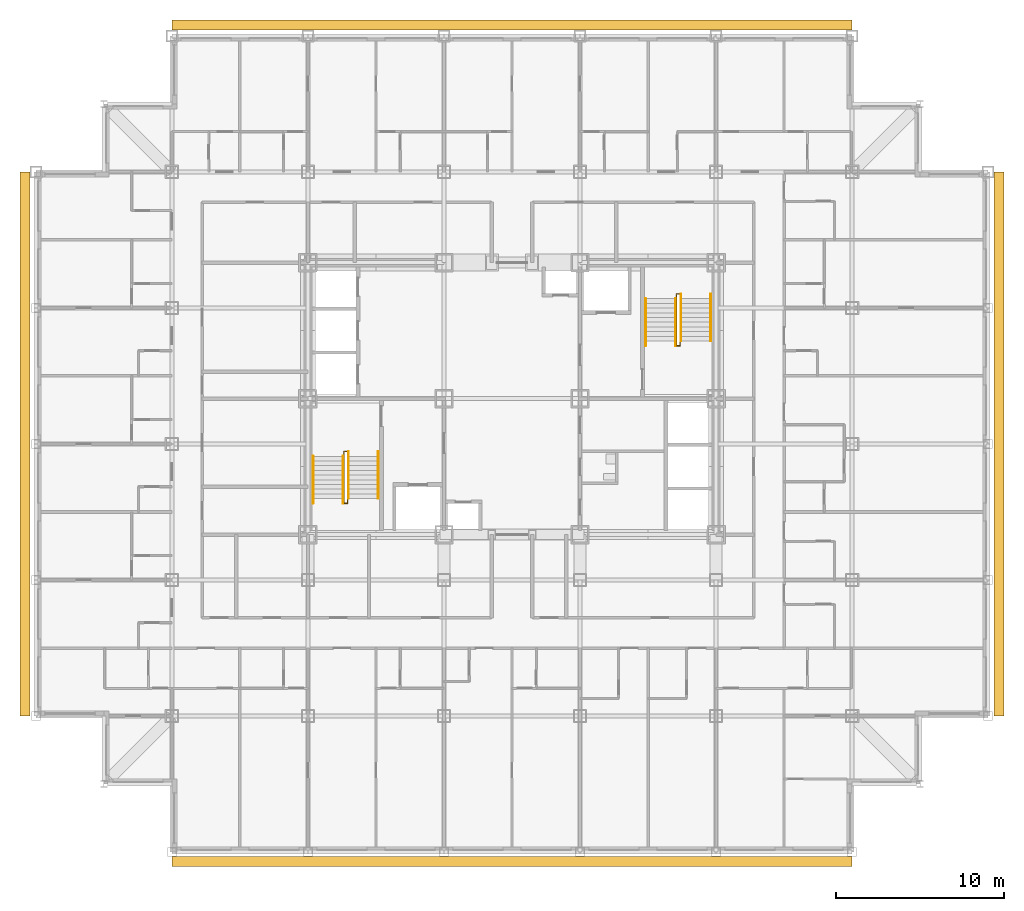
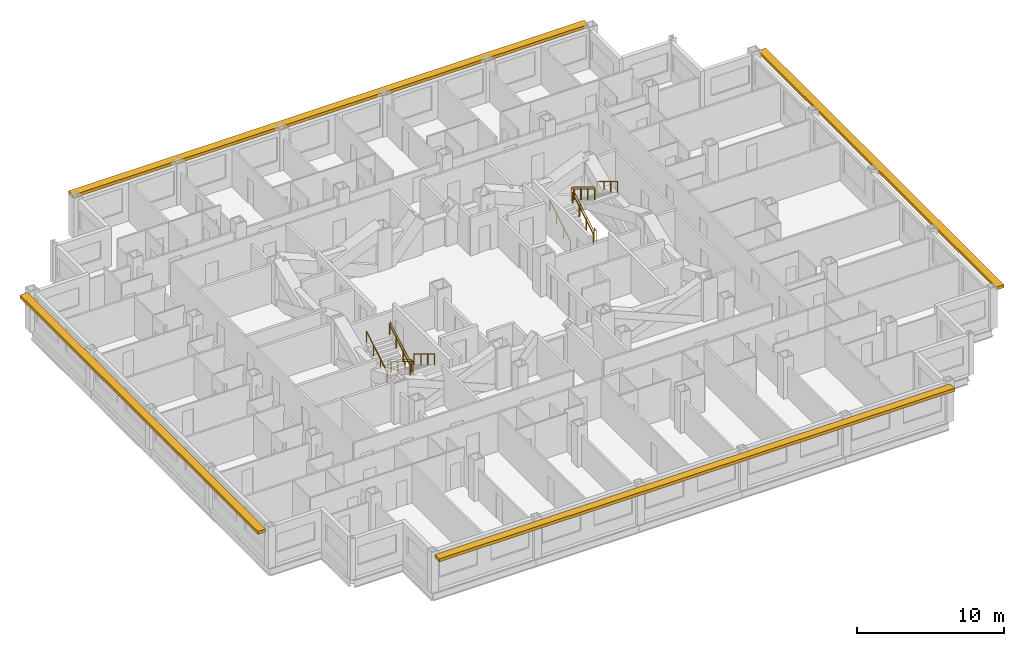
# One storey, part 13 of 14: 10 railings, 4 shading devices.
"""IFC4 building model written with IfcOpenShell, lengths in metres."""

import ifcopenshell
import ifcopenshell.guid

model = None  # the IFC model being written
_history = None  # IfcOwnerHistory: only IFC2X3 demands one
_inside = {}  # id of a spatial element -> (the spatial element, [elements in it])
_under = {}  # id of a project, library or spatial element -> (it, [spatial elements below it])
_declared = {}  # id of a project -> (the project, [libraries it declares])
_typed = {}  # id of a type object -> (the type object, [elements of that type])
_made_of = {}  # id of a material, layer set ... -> (it, [elements and type objects made of it])


def new_model(schema):
    """Start an empty IFC model of exactly this schema.

    Asked for "IFC4X3", IfcOpenShell would pick the latest addendum, in which some entities
    have other attributes; the version numbers below select the first issue.
    IFC2X3 requires an IfcOwnerHistory on every rooted entity: one is made here for all.
    """
    global model, _history
    if schema == "IFC4X3":
        model = ifcopenshell.file(schema_version=(4, 3, 0, 0))
    else:
        model = ifcopenshell.file(schema=schema)
    _inside.clear()
    _under.clear()
    _declared.clear()
    _typed.clear()
    _made_of.clear()
    _history = None
    if model.schema == "IFC2X3":
        org = make("IfcOrganization", Name="unknown")
        user = make(
            "IfcPersonAndOrganization",
            ThePerson=make("IfcPerson", FamilyName="unknown"),
            TheOrganization=org,
        )
        app = make(
            "IfcApplication",
            ApplicationDeveloper=org,
            Version="unknown",
            ApplicationFullName="unknown",
            ApplicationIdentifier="unknown",
        )
        _history = make(
            "IfcOwnerHistory",
            OwningUser=user,
            OwningApplication=app,
            ChangeAction="ADDED",
            CreationDate=0,
        )
    return model


def make(cls, **values):
    """One entity of the class cls with the attributes given. An attribute that is None is left unset."""
    return model.create_entity(
        cls, **{name: value for name, value in values.items() if value is not None}
    )


def rooted(cls, **values):
    """An entity with a GlobalId (a new one), such as an element, a storey or a relation."""
    return make(cls, GlobalId=ifcopenshell.guid.new(), OwnerHistory=_history, **values)


def si_unit(unit_type, name, prefix=None):
    """IfcSIUnit, for example si_unit("LENGTHUNIT", "METRE", prefix="MILLI")."""
    return make("IfcSIUnit", UnitType=unit_type, Prefix=prefix, Name=name)


def assignment(units):
    """IfcUnitAssignment: the units of a project."""
    return None if units is None else make("IfcUnitAssignment", Units=units)


def point(xyz):
    """IfcCartesianPoint."""
    return None if xyz is None else make("IfcCartesianPoint", Coordinates=xyz)


def direction(xyz):
    """IfcDirection."""
    return None if xyz is None else make("IfcDirection", DirectionRatios=xyz)


def frame(location, z_axis=None, x_axis=None):
    """IfcAxis2Placement3D, a coordinate frame: its origin and axes. An axis left out is left unset."""
    return make(
        "IfcAxis2Placement3D",
        Location=point(location),
        Axis=direction(z_axis),
        RefDirection=direction(x_axis),
    )


def frame_2d(location, x_axis=None):
    """IfcAxis2Placement2D, a coordinate frame in the plane: its origin and x axis."""
    return make(
        "IfcAxis2Placement2D", Location=point(location), RefDirection=direction(x_axis)
    )


def origin():
    """The frame at (0, 0, 0) with its axes left unset."""
    return frame((0.0, 0.0, 0.0))


def origin_2d():
    """The frame at (0, 0) in the plane with its x axis left unset."""
    return frame_2d((0.0, 0.0))


def place(relative_to, where):
    """IfcLocalPlacement: puts the frame where relative to a parent placement (None: the world)."""
    return make(
        "IfcLocalPlacement", PlacementRelTo=relative_to, RelativePlacement=where
    )


def context(
    kind, dimensions, precision=None, world=None, true_north=None, identifier=None
):
    """IfcGeometricRepresentationContext, for example the 3D "Model" context."""
    return make(
        "IfcGeometricRepresentationContext",
        ContextIdentifier=identifier,
        ContextType=kind,
        CoordinateSpaceDimension=dimensions,
        Precision=precision,
        WorldCoordinateSystem=world,
        TrueNorth=true_north,
    )


def subcontext(parent, identifier, kind, view, scale=None):
    """IfcGeometricRepresentationSubContext, for example "Body" below "Model"."""
    return make(
        "IfcGeometricRepresentationSubContext",
        ContextIdentifier=identifier,
        ContextType=kind,
        ParentContext=parent,
        TargetScale=scale,
        TargetView=view,
    )


def project(units=None, contexts=None):
    """IfcProject with its units and contexts."""
    return rooted(
        "IfcProject",
        Name="project",
        RepresentationContexts=contexts,
        UnitsInContext=assignment(units),
    )


def spatial(cls, under=None, at=None, **own):
    """A site, building, storey or space (cls), placed at a placement, below another one or the project."""
    s = rooted(cls, ObjectPlacement=at, **own)
    if under is not None:
        _under.setdefault(under.id(), (under, []))[1].append(s)
    return s


def profile(cls, at=None, kind="AREA", **sizes):
    """A parametric profile (cls). Its sizes go by their IFC names, for example OverallWidth=200.0."""
    return make(cls, ProfileType=kind, Position=at, **sizes)


def rectangle(**sizes):
    """IfcRectangleProfileDef."""
    return profile("IfcRectangleProfileDef", **sizes)


def circle(**sizes):
    """IfcCircleProfileDef."""
    return profile("IfcCircleProfileDef", **sizes)


def extrude(swept, where, along, depth):
    """IfcExtrudedAreaSolid: the profile swept, set in the frame where, extruded along a direction by depth."""
    return make(
        "IfcExtrudedAreaSolid",
        SweptArea=swept,
        Position=where,
        ExtrudedDirection=direction(along),
        Depth=depth,
    )


def shape(context_of_items, identifier, shape_type, items):
    """IfcShapeRepresentation: the items that make up one representation, for example the "Body"."""
    return make(
        "IfcShapeRepresentation",
        ContextOfItems=context_of_items,
        RepresentationIdentifier=identifier,
        RepresentationType=shape_type,
        Items=items,
    )


def material(Name=None, Category=None):
    """IfcMaterial."""
    return make("IfcMaterial", Name=Name, Category=Category)


def made_of(thing, what):
    """Note that an element or type object is made of a material, layer set ...; save() writes the relation."""
    if what is not None:
        _made_of.setdefault(what.id(), (what, []))[1].append(thing)
    return thing


def type_object(cls, material=None, **own):
    """A type object (cls), such as IfcWallType, which elements share."""
    return made_of(rooted(cls, **own), material)


def element(
    cls,
    number,
    at=None,
    inside=None,
    cuts=None,
    type_object=None,
    material=None,
    context=None,
    identifier="Body",
    shape_type=None,
    held_by="IfcProductDefinitionShape",
    body=None,
    shapes=None,
    **own,
):
    """One element of the class cls, such as IfcWall. Its Tag is "e" and its number.

    at: its placement. inside: the storey or other place that contains it. cuts: it is an
    opening in that element (IfcRelVoidsElement). A single representation is given by context,
    identifier, shape_type and body (its items); several are given by shapes. held_by: the class
    of the entity that holds the representations. save() writes the other relations.
    """
    e = rooted(cls, Tag="e%d" % number, ObjectPlacement=at, **own)
    if body is not None:
        shapes = [shape(context, identifier, shape_type, body)]
    if shapes is not None:
        e.Representation = make(held_by, Representations=shapes)
    if inside is not None:
        _inside.setdefault(inside.id(), (inside, []))[1].append(e)
    if cuts is not None:
        rooted(
            "IfcRelVoidsElement", RelatingBuildingElement=cuts, RelatedOpeningElement=e
        )
    if type_object is not None:
        _typed.setdefault(type_object.id(), (type_object, []))[1].append(e)
    return made_of(e, material)


def aggregate(whole, parts):
    """IfcRelAggregates: a whole, such as a stair, and the parts it consists of."""
    return rooted("IfcRelAggregates", RelatingObject=whole, RelatedObjects=parts)


def save(model, path):
    """Write the relations noted so far, then the file.

    IfcRelAggregates (storeys below a building ...), IfcRelContainedInSpatialStructure (elements
    in a storey), IfcRelDefinesByType, IfcRelAssociatesMaterial and IfcRelDeclares: one each for
    every whole, place, type object, material and project.
    """
    for whole, parts in _under.values():
        aggregate(whole, parts)
    for where, things in _inside.values():
        rooted(
            "IfcRelContainedInSpatialStructure",
            RelatedElements=things,
            RelatingStructure=where,
        )
    for kind, things in _typed.values():
        rooted("IfcRelDefinesByType", RelatedObjects=things, RelatingType=kind)
    for what, things in _made_of.values():
        rooted("IfcRelAssociatesMaterial", RelatedObjects=things, RelatingMaterial=what)
    for by, libraries in _declared.values():
        rooted("IfcRelDeclares", RelatingContext=by, RelatedDefinitions=libraries)
    model.write(path)


model = new_model("IFC4")

# Units and contexts
model_context = context("Model", 3, precision=1e-05, world=origin(), true_north=direction((0.0, 1.0)))
body_context = subcontext(model_context, "Body", "Model", "MODEL_VIEW")
ifc_project = project(units=[si_unit("LENGTHUNIT", "METRE"), si_unit("AREAUNIT", "SQUARE_METRE"), si_unit("VOLUMEUNIT", "CUBIC_METRE"), si_unit("PLANEANGLEUNIT", "RADIAN"), si_unit("MASSUNIT", "GRAM", prefix="KILO")], contexts=[model_context])

# Site, building, storey
site_placement = place(None, origin())
site = spatial("IfcSite", under=ifc_project, at=site_placement, CompositionType="ELEMENT")
building_placement = place(site_placement, origin())
building = spatial("IfcBuilding", under=site, at=building_placement, Name="Kopane Lantern Tower", CompositionType="ELEMENT")
storey_placement = place(building_placement, frame((0.0, 0.0, 137.39990234375)))
storey = spatial("IfcBuildingStorey", under=building, at=storey_placement, Name="L35", CompositionType="ELEMENT", Elevation=137.39990234375)

# Railings
ifc_material_1 = material(Name="Steel", Category="steel")
railing_type_1 = type_object("IfcRailingType", Name="STAIR GUARD 1100", PredefinedType="GUARDRAIL", material=ifc_material_1)
railing_1_placement = place(storey_placement, frame((18.35009765625, 28.969970703125, 0.0)))
element("IfcRailing", 1, at=railing_1_placement, inside=storey, type_object=railing_type_1, Name="ST1 well guard L35", PredefinedType="GUARDRAIL", context=body_context, shape_type="SweptSolid", body=[
    extrude(circle(Radius=0.02392578125, at=origin_2d()), frame((0.0, 0.0, 1.076171875), z_axis=(0.0, 1.0, 0.0), x_axis=(-1.0, 0.0, 0.0)), (0.0, 0.0, 1.0), 0.280029296875),
    extrude(circle(Radius=0.02392578125, at=origin_2d()), frame((0.0, 0.280029296875, 1.076171875), z_axis=(1.0, 0.0, 0.0), x_axis=(0.0, 1.0, 0.0)), (0.0, 0.0, 1.0), 0.199951171875),
    extrude(circle(Radius=0.02392578125, at=origin_2d()), frame((0.199951171875, 0.280029296875, 1.076171875), z_axis=(0.0, -0.854765079529, 0.519015085347), x_axis=(1.0, 0.0, 0.0)), (0.0, 0.0, 1.0), 3.27587890625),
    extrude(circle(Radius=0.02392578125, at=origin_2d()), frame((0.199951171875, -2.52001953125, 2.7763671875), z_axis=(0.0, -1.0, 0.0), x_axis=(1.0, 0.0, 0.0)), (0.0, 0.0, 1.0), 0.280029296875),
    extrude(circle(Radius=0.02392578125, at=origin_2d()), frame((0.199951171875, -2.800048828125, 2.7763671875), z_axis=(-1.0, 0.0, 0.0), x_axis=(0.0, -1.0, 0.0)), (0.0, 0.0, 1.0), 0.199951171875),
    extrude(circle(Radius=0.02392578125, at=origin_2d()), frame((0.0, -2.800048828125, 2.7763671875), z_axis=(0.0, 0.854798142509, 0.518960630071), x_axis=(-1.0, 0.0, 0.0)), (0.0, 0.0, 1.0), 3.275634765625),
    extrude(circle(Radius=0.02099609375, at=origin_2d()), origin(), (0.0, 0.0, 1.0), 1.052001953125),
    extrude(circle(Radius=0.02099609375, at=origin_2d()), frame((0.0, 0.280029296875, 0.0)), (0.0, 0.0, 1.0), 1.052001953125),
    extrude(circle(Radius=0.02099609375, at=origin_2d()), frame((0.199951171875, 0.280029296875, 0.0)), (0.0, 0.0, 1.0), 1.052001953125),
    extrude(circle(Radius=0.02099609375, at=origin_2d()), frame((0.199951171875, -0.6533203125, 0.566650390625)), (0.0, 0.0, 1.0), 1.052001953125),
    extrude(circle(Radius=0.02099609375, at=origin_2d()), frame((0.199951171875, -1.586669921875, 1.133544921875)), (0.0, 0.0, 1.0), 1.052001953125),
    extrude(circle(Radius=0.02099609375, at=origin_2d()), frame((0.199951171875, -2.52001953125, 1.7001953125)), (0.0, 0.0, 1.0), 1.052001953125),
    extrude(circle(Radius=0.02099609375, at=origin_2d()), frame((0.199951171875, -2.800048828125, 1.7001953125)), (0.0, 0.0, 1.0), 1.052001953125),
    extrude(circle(Radius=0.02099609375, at=origin_2d()), frame((0.0, -2.800048828125, 1.7001953125)), (0.0, 0.0, 1.0), 1.052001953125),
    extrude(circle(Radius=0.02099609375, at=origin_2d()), frame((0.0, -1.86669921875, 2.266845703125)), (0.0, 0.0, 1.0), 1.052001953125),
    extrude(circle(Radius=0.02099609375, at=origin_2d()), frame((0.0, -0.933349609375, 2.83349609375)), (0.0, 0.0, 1.0), 1.052001953125),
    extrude(circle(Radius=0.02099609375, at=origin_2d()), frame((0.0, 0.0, 3.400146484375)), (0.0, 0.0, 1.0), 1.052001953125),
])
railing_2_placement = place(storey_placement, frame((38.35009765625, 35.830078125, 0.0)))
element("IfcRailing", 2, at=railing_2_placement, inside=storey, type_object=railing_type_1, Name="ST2 well guard L35", PredefinedType="GUARDRAIL", context=body_context, shape_type="SweptSolid", body=[
    extrude(circle(Radius=0.02392578125, at=origin_2d()), frame((0.0, 0.0, 1.076171875), z_axis=(0.0, -1.0, 0.0), x_axis=(1.0, 0.0, 0.0)), (0.0, 0.0, 1.0), 0.280029296875),
    extrude(circle(Radius=0.02392578125, at=origin_2d()), frame((0.0, -0.280029296875, 1.076171875), z_axis=(-1.0, 0.0, 0.0), x_axis=(0.0, -1.0, 0.0)), (0.0, 0.0, 1.0), 0.2001953125),
    extrude(circle(Radius=0.02392578125, at=origin_2d()), frame((-0.2001953125, -0.280029296875, 1.076171875), z_axis=(0.0, 0.854765079529, 0.519015085347), x_axis=(-1.0, 0.0, 0.0)), (0.0, 0.0, 1.0), 3.27587890625),
    extrude(circle(Radius=0.02392578125, at=origin_2d()), frame((-0.2001953125, 2.52001953125, 2.7763671875), z_axis=(0.0, 1.0, 0.0), x_axis=(-1.0, 0.0, 0.0)), (0.0, 0.0, 1.0), 0.27978515625),
    extrude(circle(Radius=0.02392578125, at=origin_2d()), frame((-0.2001953125, 2.7998046875, 2.7763671875), z_axis=(1.0, 0.0, 0.0), x_axis=(0.0, 1.0, 0.0)), (0.0, 0.0, 1.0), 0.2001953125),
    extrude(circle(Radius=0.02392578125, at=origin_2d()), frame((0.0, 2.7998046875, 2.7763671875), z_axis=(0.0, -0.854778067842, 0.518993694313), x_axis=(1.0, 0.0, 0.0)), (0.0, 0.0, 1.0), 3.275390625),
    extrude(circle(Radius=0.02099609375, at=origin_2d()), origin(), (0.0, 0.0, 1.0), 1.052001953125),
    extrude(circle(Radius=0.02099609375, at=origin_2d()), frame((0.0, -0.280029296875, 0.0)), (0.0, 0.0, 1.0), 1.052001953125),
    extrude(circle(Radius=0.02099609375, at=origin_2d()), frame((-0.2001953125, -0.280029296875, 0.0)), (0.0, 0.0, 1.0), 1.052001953125),
    extrude(circle(Radius=0.02099609375, at=origin_2d()), frame((-0.2001953125, 0.6533203125, 0.566650390625)), (0.0, 0.0, 1.0), 1.052001953125),
    extrude(circle(Radius=0.02099609375, at=origin_2d()), frame((-0.2001953125, 1.586669921875, 1.133544921875)), (0.0, 0.0, 1.0), 1.052001953125),
    extrude(circle(Radius=0.02099609375, at=origin_2d()), frame((-0.2001953125, 2.52001953125, 1.7001953125)), (0.0, 0.0, 1.0), 1.052001953125),
    extrude(circle(Radius=0.02099609375, at=origin_2d()), frame((-0.2001953125, 2.7998046875, 1.7001953125)), (0.0, 0.0, 1.0), 1.052001953125),
    extrude(circle(Radius=0.02099609375, at=origin_2d()), frame((0.0, 2.7998046875, 1.7001953125)), (0.0, 0.0, 1.0), 1.052001953125),
    extrude(circle(Radius=0.02099609375, at=origin_2d()), frame((0.0, 1.866455078125, 2.266845703125)), (0.0, 0.0, 1.0), 1.052001953125),
    extrude(circle(Radius=0.02099609375, at=origin_2d()), frame((0.0, 0.933349609375, 2.83349609375)), (0.0, 0.0, 1.0), 1.052001953125),
    extrude(circle(Radius=0.02099609375, at=origin_2d()), frame((0.0, 0.0, 3.400146484375)), (0.0, 0.0, 1.0), 1.052001953125),
])
ifc_material_2 = material(Name="Steel", Category="steel")
railing_type_2 = type_object("IfcRailingType", Name="STAIR HANDRAIL 900", PredefinedType="HANDRAIL", material=ifc_material_2)
for number, where, name in (
    (3, (20.389892578125, 29.25, 0.0), "ST1 handrail L35 flight 1"),
    (4, (18.610107421875, 29.25, 0.0), "ST1 handrail L35 flight 1"),
):
    element("IfcRailing", number, at=place(storey_placement, frame(where)), inside=storey, type_object=railing_type_2, Name=name, PredefinedType="HANDRAIL", context=body_context, shape_type="SweptSolid", body=[
        extrude(circle(Radius=0.02392578125, at=origin_2d()), frame((0.0, 0.0, 0.8759765625), z_axis=(0.0, -0.854765079529, 0.519015085347), x_axis=(1.0, 0.0, 0.0)), (0.0, 0.0, 1.0), 3.27587890625),
        extrude(circle(Radius=0.02099609375, at=origin_2d()), origin(), (0.0, 0.0, 1.0), 0.851806640625),
        extrude(circle(Radius=0.02099609375, at=origin_2d()), frame((0.0, -0.933349609375, 0.566650390625)), (0.0, 0.0, 1.0), 0.851806640625),
        extrude(circle(Radius=0.02099609375, at=origin_2d()), frame((0.0, -1.86669921875, 1.133544921875)), (0.0, 0.0, 1.0), 0.851806640625),
        extrude(circle(Radius=0.02099609375, at=origin_2d()), frame((0.0, -2.800048828125, 1.7001953125)), (0.0, 0.0, 1.0), 0.851806640625),
    ])
for number, where, name in (
    (5, (16.510009765625, 26.169921875, 1.7001953125), "ST1 handrail L35 flight 2"),
    (6, (18.2900390625, 26.169921875, 1.7001953125), "ST1 handrail L35 flight 2"),
):
    element("IfcRailing", number, at=place(storey_placement, frame(where)), inside=storey, type_object=railing_type_2, Name=name, PredefinedType="HANDRAIL", context=body_context, shape_type="SweptSolid", body=[
        extrude(circle(Radius=0.02392578125, at=origin_2d()), frame((0.0, 0.0, 0.8759765625), z_axis=(0.0, 0.854798142509, 0.518960630071), x_axis=(-1.0, 0.0, 0.0)), (0.0, 0.0, 1.0), 3.275634765625),
        extrude(circle(Radius=0.02099609375, at=origin_2d()), origin(), (0.0, 0.0, 1.0), 0.851806640625),
        extrude(circle(Radius=0.02099609375, at=origin_2d()), frame((0.0, 0.933349609375, 0.566650390625)), (0.0, 0.0, 1.0), 0.851806640625),
        extrude(circle(Radius=0.02099609375, at=origin_2d()), frame((0.0, 1.86669921875, 1.13330078125)), (0.0, 0.0, 1.0), 0.851806640625),
        extrude(circle(Radius=0.02099609375, at=origin_2d()), frame((0.0, 2.800048828125, 1.699951171875)), (0.0, 0.0, 1.0), 0.851806640625),
    ])
for number, where, name in (
    (7, (36.31005859375, 35.550048828125, 0.0), "ST2 handrail L35 flight 1"),
    (8, (38.090087890625, 35.550048828125, 0.0), "ST2 handrail L35 flight 1"),
):
    element("IfcRailing", number, at=place(storey_placement, frame(where)), inside=storey, type_object=railing_type_2, Name=name, PredefinedType="HANDRAIL", context=body_context, shape_type="SweptSolid", body=[
        extrude(circle(Radius=0.02392578125, at=origin_2d()), frame((0.0, 0.0, 0.8759765625), z_axis=(0.0, 0.854765079529, 0.519015085347), x_axis=(-1.0, 0.0, 0.0)), (0.0, 0.0, 1.0), 3.27587890625),
        extrude(circle(Radius=0.02099609375, at=origin_2d()), origin(), (0.0, 0.0, 1.0), 0.851806640625),
        extrude(circle(Radius=0.02099609375, at=origin_2d()), frame((0.0, 0.933349609375, 0.566650390625)), (0.0, 0.0, 1.0), 0.851806640625),
        extrude(circle(Radius=0.02099609375, at=origin_2d()), frame((0.0, 1.86669921875, 1.133544921875)), (0.0, 0.0, 1.0), 0.851806640625),
        extrude(circle(Radius=0.02099609375, at=origin_2d()), frame((0.0, 2.800048828125, 1.7001953125)), (0.0, 0.0, 1.0), 0.851806640625),
    ])
for number, where, name in (
    (9, (40.18994140625, 38.6298828125, 1.7001953125), "ST2 handrail L35 flight 2"),
    (10, (38.409912109375, 38.6298828125, 1.7001953125), "ST2 handrail L35 flight 2"),
):
    element("IfcRailing", number, at=place(storey_placement, frame(where)), inside=storey, type_object=railing_type_2, Name=name, PredefinedType="HANDRAIL", context=body_context, shape_type="SweptSolid", body=[
        extrude(circle(Radius=0.02392578125, at=origin_2d()), frame((0.0, 0.0, 0.8759765625), z_axis=(0.0, -0.854778067842, 0.518993694313), x_axis=(1.0, 0.0, 0.0)), (0.0, 0.0, 1.0), 3.275390625),
        extrude(circle(Radius=0.02099609375, at=origin_2d()), origin(), (0.0, 0.0, 1.0), 0.851806640625),
        extrude(circle(Radius=0.02099609375, at=origin_2d()), frame((0.0, -0.933349609375, 0.566650390625)), (0.0, 0.0, 1.0), 0.851806640625),
        extrude(circle(Radius=0.02099609375, at=origin_2d()), frame((0.0, -1.866455078125, 1.13330078125)), (0.0, 0.0, 1.0), 0.851806640625),
        extrude(circle(Radius=0.02099609375, at=origin_2d()), frame((0.0, -2.7998046875, 1.699951171875)), (0.0, 0.0, 1.0), 0.851806640625),
    ])

# Shading devices
ifc_material_3 = material(Name="Terracotta rainscreen on light steel framing", Category="masonry")
shading_device_type = type_object("IfcShadingDeviceType", Name="SUNSHADE BAND SB1 600 TERRACOTTA", PredefinedType="USERDEFINED", material=ifc_material_3)
shading_device_1_placement = place(storey_placement, frame((28.35009765625, 4.824951171875, 2.900146484375), z_axis=(0.0, 0.0, 1.0), x_axis=(1.0, 0.0, 0.0)))
element("IfcShadingDevice", 11, at=shading_device_1_placement, inside=storey, type_object=shading_device_type, Name="Sunshade band S L35", ObjectType="SUNSHADE BAND", PredefinedType="USERDEFINED", context=body_context, shape_type="SweptSolid", body=[
    extrude(rectangle(XDim=40.5, YDim=0.60009765625, at=origin_2d()), origin(), (0.0, 0.0, 1.0), 0.25),
])
shading_device_2_placement = place(storey_placement, frame((57.35009765625, 29.699951171875, 2.900146484375), z_axis=(0.0, 0.0, 1.0), x_axis=(0.0, 1.0, 0.0)))
element("IfcShadingDevice", 12, at=shading_device_2_placement, inside=storey, type_object=shading_device_type, Name="Sunshade band E L35", ObjectType="SUNSHADE BAND", PredefinedType="USERDEFINED", context=body_context, shape_type="SweptSolid", body=[
    extrude(rectangle(XDim=32.39990234375, YDim=0.60009765625, at=origin_2d()), origin(), (0.0, 0.0, 1.0), 0.25),
])
shading_device_3_placement = place(storey_placement, frame((28.35009765625, 54.64990234375, 2.900146484375), z_axis=(0.0, 0.0, 1.0), x_axis=(-1.0, 0.0, 0.0)))
element("IfcShadingDevice", 13, at=shading_device_3_placement, inside=storey, type_object=shading_device_type, Name="Sunshade band N L35", ObjectType="SUNSHADE BAND", PredefinedType="USERDEFINED", context=body_context, shape_type="SweptSolid", body=[
    extrude(rectangle(XDim=40.5, YDim=0.60009765625, at=origin_2d()), origin(), (0.0, 0.0, 1.0), 0.25),
])
shading_device_4_placement = place(storey_placement, frame((-0.64990234375, 29.699951171875, 2.900146484375), z_axis=(0.0, 0.0, 1.0), x_axis=(0.0, -1.0, 0.0)))
element("IfcShadingDevice", 14, at=shading_device_4_placement, inside=storey, type_object=shading_device_type, Name="Sunshade band W L35", ObjectType="SUNSHADE BAND", PredefinedType="USERDEFINED", context=body_context, shape_type="SweptSolid", body=[
    extrude(rectangle(XDim=32.39990234375, YDim=0.60009765625, at=origin_2d()), origin(), (0.0, 0.0, 1.0), 0.25),
])

save(model, "model.ifc")
